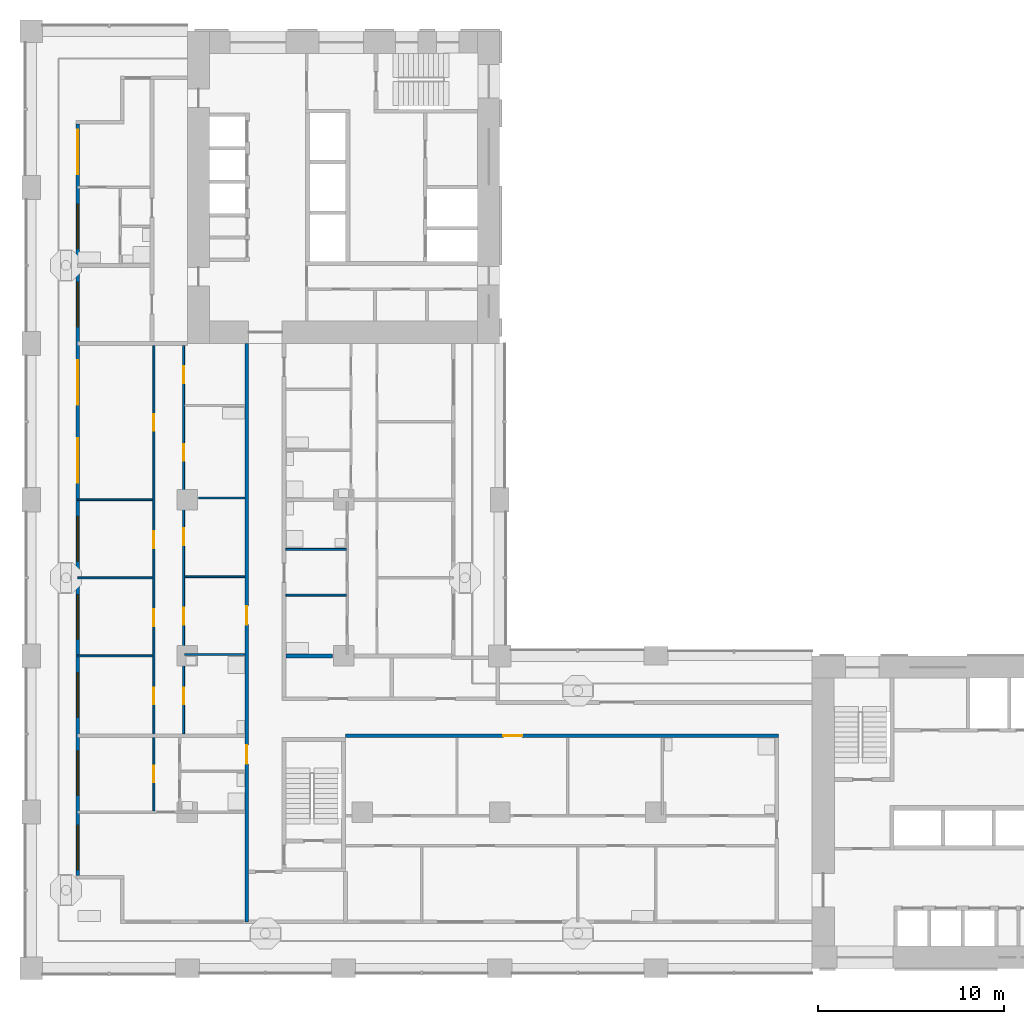
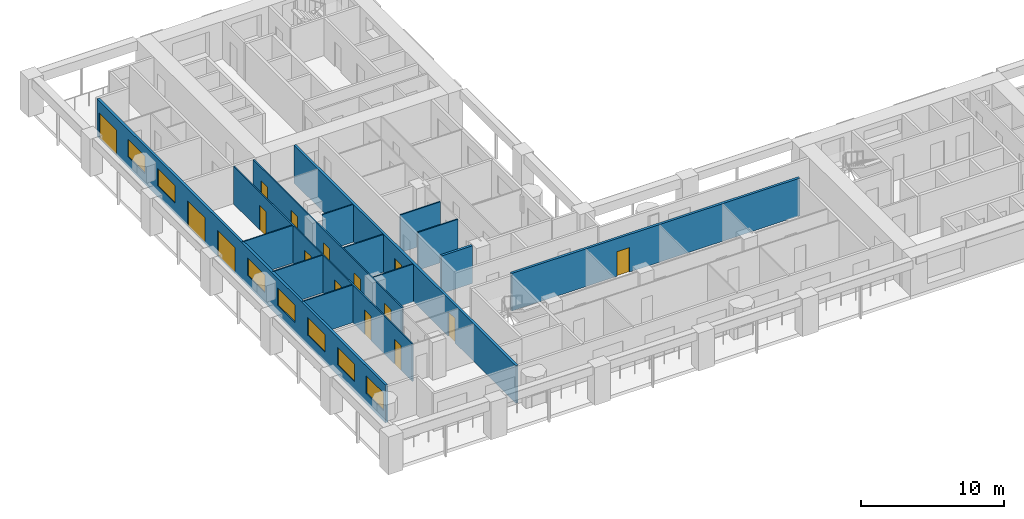
# One storey, part 3 of 18: 16 doors, 14 walls, 7 windows, 23 openings.
"""IFC4 building model written with IfcOpenShell, lengths in metres."""

from ifc_helpers import new_model, si_unit, direction, frame, frame_2d, origin, place, context, subcontext, project, spatial, rectangle, extrude, material, layer, layer_set, type_object, element, fill, save


model = new_model("IFC4")

# Units and contexts
model_context = context("Model", 3, precision=1e-05, world=origin(), true_north=direction((0.0, 1.0)))
body_context = subcontext(model_context, "Body", "Model", "MODEL_VIEW")
ifc_project = project(units=[si_unit("LENGTHUNIT", "METRE"), si_unit("AREAUNIT", "SQUARE_METRE"), si_unit("VOLUMEUNIT", "CUBIC_METRE"), si_unit("PLANEANGLEUNIT", "RADIAN"), si_unit("MASSUNIT", "GRAM", prefix="KILO")], contexts=[model_context])

# Site, building, storey
site_placement = place(None, origin())
site = spatial("IfcSite", under=ifc_project, at=site_placement, CompositionType="ELEMENT")
building_placement = place(site_placement, origin())
building = spatial("IfcBuilding", under=site, at=building_placement, Name="Vermilion Gate Residences", CompositionType="ELEMENT")
storey_placement = place(building_placement, frame((0.0, 0.0, 81.199951171875)))
storey = spatial("IfcBuildingStorey", under=building, at=storey_placement, Name="L19", CompositionType="ELEMENT", Elevation=81.199951171875)

# Wall, openings, doors, windows
ifc_material_1 = material(Name="Insulated steel stud wall with terracotta rainscreen", Category="masonry")
ifc_layer_1 = layer(ifc_material_1, 0.199951171875)
ifc_layer_set_1 = layer_set([ifc_layer_1], Name="EXTERNAL WALL 200 TERRACOTTA RAINSCREEN")
wall_type_1 = type_object("IfcWallType", Name="EXTERNAL WALL 200 TERRACOTTA RAINSCREEN", PredefinedType="SOLIDWALL", material=ifc_layer_set_1)
wall_1_placement = place(storey_placement, frame((2.5, 53.800048828125, 0.0), z_axis=(0.0, 0.0, 1.0), x_axis=(0.0, -1.0, 0.0)))
wall_1 = element("IfcWall", 1, at=wall_1_placement, inside=storey, type_object=wall_type_1, Name="External wall", PredefinedType="SOLIDWALL", context=body_context, shape_type="SweptSolid", body=[
    extrude(rectangle(XDim=40.400146484375, YDim=0.199951171875, at=frame_2d((20.2001953125, 0.0))), origin(), (0.0, 0.0, 1.0), 3.219970703125),
])
opening_1_placement = place(wall_1_placement, frame((37.699951171875, 0.0, 0.89990234375)))
opening_1 = element("IfcOpeningElement", 2, at=opening_1_placement, cuts=wall_1, Name="Opening WE19002", PredefinedType="OPENING", context=body_context, shape_type="SweptSolid", body=[
    extrude(rectangle(XDim=2.39990234375, YDim=1.5, at=frame_2d((1.199951171875, 0.75))), frame((0.0, 0.10986328125, 0.0), z_axis=(0.0, -1.0, 0.0), x_axis=(1.0, 0.0, 0.0)), (0.0, 0.0, 1.0), 0.219970703125),
])
opening_2_placement = place(wall_1_placement, frame((33.699951171875, 0.0, 0.89990234375)))
opening_2 = element("IfcOpeningElement", 3, at=opening_2_placement, cuts=wall_1, Name="Opening WE19003", PredefinedType="OPENING", context=body_context, shape_type="SweptSolid", body=[
    extrude(rectangle(XDim=2.39990234375, YDim=1.5, at=frame_2d((1.199951171875, 0.75))), frame((0.0, 0.10986328125, 0.0), z_axis=(0.0, -1.0, 0.0), x_axis=(1.0, 0.0, 0.0)), (0.0, 0.0, 1.0), 0.219970703125),
])
opening_3_placement = place(wall_1_placement, frame((29.5, 0.0, 0.89990234375)))
opening_3 = element("IfcOpeningElement", 4, at=opening_3_placement, cuts=wall_1, Name="Opening WE19004", PredefinedType="OPENING", context=body_context, shape_type="SweptSolid", body=[
    extrude(rectangle(XDim=2.39990234375, YDim=1.5, at=frame_2d((1.199951171875, 0.75))), frame((0.0, 0.10986328125, 0.0), z_axis=(0.0, -1.0, 0.0), x_axis=(1.0, 0.0, 0.0)), (0.0, 0.0, 1.0), 0.219970703125),
])
opening_4_placement = place(wall_1_placement, frame((25.300048828125, 0.0, 0.89990234375)))
opening_4 = element("IfcOpeningElement", 5, at=opening_4_placement, cuts=wall_1, Name="Opening WE19005", PredefinedType="OPENING", context=body_context, shape_type="SweptSolid", body=[
    extrude(rectangle(XDim=2.39990234375, YDim=1.5, at=frame_2d((1.199951171875, 0.75))), frame((0.0, 0.10986328125, 0.0), z_axis=(0.0, -1.0, 0.0), x_axis=(1.0, 0.0, 0.0)), (0.0, 0.0, 1.0), 0.219970703125),
])
opening_5_placement = place(wall_1_placement, frame((21.10009765625, 0.0, 0.89990234375)))
opening_5 = element("IfcOpeningElement", 6, at=opening_5_placement, cuts=wall_1, Name="Opening WE19006", PredefinedType="OPENING", context=body_context, shape_type="SweptSolid", body=[
    extrude(rectangle(XDim=2.39990234375, YDim=1.5, at=frame_2d((1.199951171875, 0.75))), frame((0.0, 0.10986328125, 0.0), z_axis=(0.0, -1.0, 0.0), x_axis=(1.0, 0.0, 0.0)), (0.0, 0.0, 1.0), 0.219970703125),
])
opening_6_placement = place(wall_1_placement, frame((16.89990234375, 0.0, 0.0)))
opening_6 = element("IfcOpeningElement", 7, at=opening_6_placement, cuts=wall_1, Name="Opening DE19007", PredefinedType="OPENING", context=body_context, shape_type="SweptSolid", body=[
    extrude(rectangle(XDim=2.39990234375, YDim=2.199951171875, at=frame_2d((1.199951171875, 1.10009765625))), frame((0.0, 0.10986328125, 0.0), z_axis=(0.0, -1.0, 0.0), x_axis=(1.0, 0.0, 0.0)), (0.0, 0.0, 1.0), 0.219970703125),
])
opening_7_placement = place(wall_1_placement, frame((12.699951171875, 0.0, 0.0)))
opening_7 = element("IfcOpeningElement", 8, at=opening_7_placement, cuts=wall_1, Name="Opening DE19008", PredefinedType="OPENING", context=body_context, shape_type="SweptSolid", body=[
    extrude(rectangle(XDim=2.39990234375, YDim=2.199951171875, at=frame_2d((1.199951171875, 1.10009765625))), frame((0.0, 0.10986328125, 0.0), z_axis=(0.0, -1.0, 0.0), x_axis=(1.0, 0.0, 0.0)), (0.0, 0.0, 1.0), 0.219970703125),
])
opening_8_placement = place(wall_1_placement, frame((8.5, 0.0, 0.89990234375)))
opening_8 = element("IfcOpeningElement", 9, at=opening_8_placement, cuts=wall_1, Name="Opening WE19009", PredefinedType="OPENING", context=body_context, shape_type="SweptSolid", body=[
    extrude(rectangle(XDim=2.39990234375, YDim=1.5, at=frame_2d((1.199951171875, 0.75))), frame((0.0, 0.10986328125, 0.0), z_axis=(0.0, -1.0, 0.0), x_axis=(1.0, 0.0, 0.0)), (0.0, 0.0, 1.0), 0.219970703125),
])
opening_9_placement = place(wall_1_placement, frame((4.300048828125, 0.0, 0.89990234375)))
opening_9 = element("IfcOpeningElement", 10, at=opening_9_placement, cuts=wall_1, Name="Opening WE19010", PredefinedType="OPENING", context=body_context, shape_type="SweptSolid", body=[
    extrude(rectangle(XDim=2.39990234375, YDim=1.5, at=frame_2d((1.199951171875, 0.75))), frame((0.0, 0.10986328125, 0.0), z_axis=(0.0, -1.0, 0.0), x_axis=(1.0, 0.0, 0.0)), (0.0, 0.0, 1.0), 0.219970703125),
])
opening_10_placement = place(wall_1_placement, frame((0.300048828125, 0.0, 0.0)))
opening_10 = element("IfcOpeningElement", 11, at=opening_10_placement, cuts=wall_1, Name="Opening DE19011", PredefinedType="OPENING", context=body_context, shape_type="SweptSolid", body=[
    extrude(rectangle(XDim=2.39990234375, YDim=2.199951171875, at=frame_2d((1.199951171875, 1.10009765625))), frame((0.0, 0.10986328125, 0.0), z_axis=(0.0, -1.0, 0.0), x_axis=(1.0, 0.0, 0.0)), (0.0, 0.0, 1.0), 0.219970703125),
])
ifc_material_2 = material(Name="Aluminium and clear glass", Category="aluminium")
door_type_1 = type_object("IfcDoorType", Name="SLIDING GLAZED DOOR 2400 X 2200", OperationType="DOUBLE_DOOR_SLIDING", PredefinedType="DOOR", material=ifc_material_2)
door_1_placement = place(opening_6_placement, origin())
door_1 = element("IfcDoor", 12, at=door_1_placement, inside=storey, type_object=door_type_1, Name="Loggia sliding door", OperationType="DOUBLE_DOOR_SLIDING", OverallHeight=2.199951171875, OverallWidth=2.39990234375, PredefinedType="DOOR", context=body_context, shape_type="SweptSolid", body=[
    extrude(rectangle(XDim=2.39990234375, YDim=2.199951171875, at=frame_2d((1.199951171875, 1.10009765625))), frame((0.0, 0.02490234375, 0.0), z_axis=(0.0, -1.0, 0.0), x_axis=(1.0, 0.0, 0.0)), (0.0, 0.0, 1.0), 0.050048828125),
])
fill(opening_6, door_1)
door_2_placement = place(opening_7_placement, origin())
door_2 = element("IfcDoor", 13, at=door_2_placement, inside=storey, type_object=door_type_1, Name="Loggia sliding door", OperationType="DOUBLE_DOOR_SLIDING", OverallHeight=2.199951171875, OverallWidth=2.39990234375, PredefinedType="DOOR", context=body_context, shape_type="SweptSolid", body=[
    extrude(rectangle(XDim=2.39990234375, YDim=2.199951171875, at=frame_2d((1.199951171875, 1.10009765625))), frame((0.0, 0.02490234375, 0.0), z_axis=(0.0, -1.0, 0.0), x_axis=(1.0, 0.0, 0.0)), (0.0, 0.0, 1.0), 0.050048828125),
])
fill(opening_7, door_2)
door_3_placement = place(opening_10_placement, origin())
door_3 = element("IfcDoor", 14, at=door_3_placement, inside=storey, type_object=door_type_1, Name="Loggia sliding door", OperationType="DOUBLE_DOOR_SLIDING", OverallHeight=2.199951171875, OverallWidth=2.39990234375, PredefinedType="DOOR", context=body_context, shape_type="SweptSolid", body=[
    extrude(rectangle(XDim=2.39990234375, YDim=2.199951171875, at=frame_2d((1.199951171875, 1.10009765625))), frame((0.0, 0.02490234375, 0.0), z_axis=(0.0, -1.0, 0.0), x_axis=(1.0, 0.0, 0.0)), (0.0, 0.0, 1.0), 0.050048828125),
])
fill(opening_10, door_3)
ifc_material_3 = material(Name="Aluminium and clear glass", Category="aluminium")
window_type = type_object("IfcWindowType", Name="WINDOW 2400 X 1500", PartitioningType="SINGLE_PANEL", PredefinedType="WINDOW", material=ifc_material_3)
window_1_placement = place(opening_1_placement, origin())
window_1 = element("IfcWindow", 15, at=window_1_placement, inside=storey, type_object=window_type, Name="Window", OverallHeight=1.5, OverallWidth=2.39990234375, PartitioningType="SINGLE_PANEL", PredefinedType="WINDOW", context=body_context, shape_type="SweptSolid", body=[
    extrude(rectangle(XDim=2.39990234375, YDim=1.5, at=frame_2d((1.199951171875, 0.75))), frame((0.0, 0.030029296875, 0.0), z_axis=(0.0, -1.0, 0.0), x_axis=(1.0, 0.0, 0.0)), (0.0, 0.0, 1.0), 0.06005859375),
])
fill(opening_1, window_1)
window_2_placement = place(opening_2_placement, origin())
window_2 = element("IfcWindow", 16, at=window_2_placement, inside=storey, type_object=window_type, Name="Window", OverallHeight=1.5, OverallWidth=2.39990234375, PartitioningType="SINGLE_PANEL", PredefinedType="WINDOW", context=body_context, shape_type="SweptSolid", body=[
    extrude(rectangle(XDim=2.39990234375, YDim=1.5, at=frame_2d((1.199951171875, 0.75))), frame((0.0, 0.030029296875, 0.0), z_axis=(0.0, -1.0, 0.0), x_axis=(1.0, 0.0, 0.0)), (0.0, 0.0, 1.0), 0.06005859375),
])
fill(opening_2, window_2)
window_3_placement = place(opening_3_placement, origin())
window_3 = element("IfcWindow", 17, at=window_3_placement, inside=storey, type_object=window_type, Name="Window", OverallHeight=1.5, OverallWidth=2.39990234375, PartitioningType="SINGLE_PANEL", PredefinedType="WINDOW", context=body_context, shape_type="SweptSolid", body=[
    extrude(rectangle(XDim=2.39990234375, YDim=1.5, at=frame_2d((1.199951171875, 0.75))), frame((0.0, 0.030029296875, 0.0), z_axis=(0.0, -1.0, 0.0), x_axis=(1.0, 0.0, 0.0)), (0.0, 0.0, 1.0), 0.06005859375),
])
fill(opening_3, window_3)
window_4_placement = place(opening_4_placement, origin())
window_4 = element("IfcWindow", 18, at=window_4_placement, inside=storey, type_object=window_type, Name="Window", OverallHeight=1.5, OverallWidth=2.39990234375, PartitioningType="SINGLE_PANEL", PredefinedType="WINDOW", context=body_context, shape_type="SweptSolid", body=[
    extrude(rectangle(XDim=2.39990234375, YDim=1.5, at=frame_2d((1.199951171875, 0.75))), frame((0.0, 0.030029296875, 0.0), z_axis=(0.0, -1.0, 0.0), x_axis=(1.0, 0.0, 0.0)), (0.0, 0.0, 1.0), 0.06005859375),
])
fill(opening_4, window_4)
window_5_placement = place(opening_5_placement, origin())
window_5 = element("IfcWindow", 19, at=window_5_placement, inside=storey, type_object=window_type, Name="Window", OverallHeight=1.5, OverallWidth=2.39990234375, PartitioningType="SINGLE_PANEL", PredefinedType="WINDOW", context=body_context, shape_type="SweptSolid", body=[
    extrude(rectangle(XDim=2.39990234375, YDim=1.5, at=frame_2d((1.199951171875, 0.75))), frame((0.0, 0.030029296875, 0.0), z_axis=(0.0, -1.0, 0.0), x_axis=(1.0, 0.0, 0.0)), (0.0, 0.0, 1.0), 0.06005859375),
])
fill(opening_5, window_5)
window_6_placement = place(opening_8_placement, origin())
window_6 = element("IfcWindow", 20, at=window_6_placement, inside=storey, type_object=window_type, Name="Window", OverallHeight=1.5, OverallWidth=2.39990234375, PartitioningType="SINGLE_PANEL", PredefinedType="WINDOW", context=body_context, shape_type="SweptSolid", body=[
    extrude(rectangle(XDim=2.39990234375, YDim=1.5, at=frame_2d((1.199951171875, 0.75))), frame((0.0, 0.030029296875, 0.0), z_axis=(0.0, -1.0, 0.0), x_axis=(1.0, 0.0, 0.0)), (0.0, 0.0, 1.0), 0.06005859375),
])
fill(opening_8, window_6)
window_7_placement = place(opening_9_placement, origin())
window_7 = element("IfcWindow", 21, at=window_7_placement, inside=storey, type_object=window_type, Name="Window", OverallHeight=1.5, OverallWidth=2.39990234375, PartitioningType="SINGLE_PANEL", PredefinedType="WINDOW", context=body_context, shape_type="SweptSolid", body=[
    extrude(rectangle(XDim=2.39990234375, YDim=1.5, at=frame_2d((1.199951171875, 0.75))), frame((0.0, 0.030029296875, 0.0), z_axis=(0.0, -1.0, 0.0), x_axis=(1.0, 0.0, 0.0)), (0.0, 0.0, 1.0), 0.06005859375),
])
fill(opening_9, window_7)

# Walls
ifc_material_4 = material(Name="Plasterboard on steel studs", Category="steel")
ifc_layer_2 = layer(ifc_material_4, 0.10009765625)
ifc_layer_set_2 = layer_set([ifc_layer_2], Name="PARTITION 100")
wall_type_2 = type_object("IfcWallType", Name="PARTITION 100", PredefinedType="PARTITIONING", material=ifc_layer_set_2)
wall_2_placement = place(storey_placement, frame((2.5, 25.199951171875, 0.0), z_axis=(0.0, 0.0, 1.0), x_axis=(1.0, 0.0, 0.0)))
element("IfcWall", 22, at=wall_2_placement, inside=storey, type_object=wall_type_2, Name="Partition", PredefinedType="PARTITIONING", context=body_context, shape_type="SweptSolid", body=[
    extrude(rectangle(XDim=4.050048828125, YDim=0.10009765625, at=frame_2d((2.02490234375, 0.0))), origin(), (0.0, 0.0, 1.0), 3.219970703125),
])
for number, where, z_axis, x_axis, name in (
    (23, (8.25, 25.280029296875, 0.0), (0.0, 0.0, 1.0), (1.0, 0.0, 0.0), "Partition"),
    (24, (13.699951171875, 28.467041015625, 0.0), (0.0, 0.0, 1.0), (1.0, 0.0, 0.0), "Partition"),
):
    element("IfcWall", number, at=place(storey_placement, frame(where, z_axis=z_axis, x_axis=x_axis)), inside=storey, type_object=wall_type_2, Name=name, PredefinedType="PARTITIONING", context=body_context, shape_type="SweptSolid", body=[
        extrude(rectangle(XDim=3.25, YDim=0.10009765625, at=frame_2d((1.625, 0.0))), origin(), (0.0, 0.0, 1.0), 3.219970703125),
    ])
wall_3_placement = place(storey_placement, frame((2.5, 29.39990234375, 0.0), z_axis=(0.0, 0.0, 1.0), x_axis=(1.0, 0.0, 0.0)))
element("IfcWall", 25, at=wall_3_placement, inside=storey, type_object=wall_type_2, Name="Partition", PredefinedType="PARTITIONING", context=body_context, shape_type="SweptSolid", body=[
    extrude(rectangle(XDim=4.050048828125, YDim=0.10009765625, at=frame_2d((2.02490234375, 0.0))), origin(), (0.0, 0.0, 1.0), 3.219970703125),
])
for number, where, z_axis, x_axis, name in (
    (26, (8.25, 29.4599609375, 0.0), (0.0, 0.0, 1.0), (1.0, 0.0, 0.0), "Partition"),
    (27, (13.699951171875, 30.93310546875, 0.0), (0.0, 0.0, 1.0), (1.0, 0.0, 0.0), "Partition"),
):
    element("IfcWall", number, at=place(storey_placement, frame(where, z_axis=z_axis, x_axis=x_axis)), inside=storey, type_object=wall_type_2, Name=name, PredefinedType="PARTITIONING", context=body_context, shape_type="SweptSolid", body=[
        extrude(rectangle(XDim=3.25, YDim=0.10009765625, at=frame_2d((1.625, 0.0))), origin(), (0.0, 0.0, 1.0), 3.219970703125),
    ])
wall_4_placement = place(storey_placement, frame((2.5, 33.60009765625, 0.0), z_axis=(0.0, 0.0, 1.0), x_axis=(1.0, 0.0, 0.0)))
element("IfcWall", 28, at=wall_4_placement, inside=storey, type_object=wall_type_2, Name="Partition", PredefinedType="PARTITIONING", context=body_context, shape_type="SweptSolid", body=[
    extrude(rectangle(XDim=4.050048828125, YDim=0.10009765625, at=frame_2d((2.02490234375, 0.0))), origin(), (0.0, 0.0, 1.0), 3.219970703125),
])
wall_5_placement = place(storey_placement, frame((9.0, 33.68994140625, 0.0), z_axis=(0.0, 0.0, 1.0), x_axis=(1.0, 0.0, 0.0)))
element("IfcWall", 29, at=wall_5_placement, inside=storey, type_object=wall_type_2, Name="Partition", PredefinedType="PARTITIONING", context=body_context, shape_type="SweptSolid", body=[
    extrude(rectangle(XDim=2.5, YDim=0.10009765625, at=frame_2d((1.25, 0.0))), origin(), (0.0, 0.0, 1.0), 3.219970703125),
])

# Wall, openings, doors
wall_6_placement = place(storey_placement, frame((6.60009765625, 16.85009765625, 0.0), z_axis=(0.0, 0.0, 1.0), x_axis=(0.0, 1.0, 0.0)))
wall_6 = element("IfcWall", 30, at=wall_6_placement, inside=storey, type_object=wall_type_2, Name="Partition", PredefinedType="PARTITIONING", context=body_context, shape_type="SweptSolid", body=[
    extrude(rectangle(XDim=25.0498046875, YDim=0.10009765625, at=frame_2d((12.52490234375, 0.0))), origin(), (0.0, 0.0, 1.0), 3.219970703125),
])
opening_11_placement = place(wall_6_placement, frame((1.550048828125, 0.0, 0.0)))
opening_11 = element("IfcOpeningElement", 31, at=opening_11_placement, cuts=wall_6, Name="Opening DA19019", PredefinedType="OPENING", context=body_context, shape_type="SweptSolid", body=[
    extrude(rectangle(XDim=0.89990234375, YDim=2.10009765625, at=frame_2d((0.449951171875, 1.050048828125))), frame((0.0, 0.06005859375, 0.0), z_axis=(0.0, -1.0, 0.0), x_axis=(1.0, 0.0, 0.0)), (0.0, 0.0, 1.0), 0.1201171875),
])
opening_12_placement = place(wall_6_placement, frame((5.75, 0.0, 0.0)))
opening_12 = element("IfcOpeningElement", 32, at=opening_12_placement, cuts=wall_6, Name="Opening DA19020", PredefinedType="OPENING", context=body_context, shape_type="SweptSolid", body=[
    extrude(rectangle(XDim=0.89990234375, YDim=2.10009765625, at=frame_2d((0.449951171875, 1.050048828125))), frame((0.0, 0.06005859375, 0.0), z_axis=(0.0, -1.0, 0.0), x_axis=(1.0, 0.0, 0.0)), (0.0, 0.0, 1.0), 0.1201171875),
])
opening_13_placement = place(wall_6_placement, frame((9.949951171875, 0.0, 0.0)))
opening_13 = element("IfcOpeningElement", 33, at=opening_13_placement, cuts=wall_6, Name="Opening DA19021", PredefinedType="OPENING", context=body_context, shape_type="SweptSolid", body=[
    extrude(rectangle(XDim=0.89990234375, YDim=2.10009765625, at=frame_2d((0.449951171875, 1.050048828125))), frame((0.0, 0.06005859375, 0.0), z_axis=(0.0, -1.0, 0.0), x_axis=(1.0, 0.0, 0.0)), (0.0, 0.0, 1.0), 0.1201171875),
])
opening_14_placement = place(wall_6_placement, frame((14.14990234375, 0.0, 0.0)))
opening_14 = element("IfcOpeningElement", 34, at=opening_14_placement, cuts=wall_6, Name="Opening DA19022", PredefinedType="OPENING", context=body_context, shape_type="SweptSolid", body=[
    extrude(rectangle(XDim=0.89990234375, YDim=2.10009765625, at=frame_2d((0.449951171875, 1.050048828125))), frame((0.0, 0.06005859375, 0.0), z_axis=(0.0, -1.0, 0.0), x_axis=(1.0, 0.0, 0.0)), (0.0, 0.0, 1.0), 0.1201171875),
])
opening_15_placement = place(wall_6_placement, frame((20.449951171875, 0.0, 0.0)))
opening_15 = element("IfcOpeningElement", 35, at=opening_15_placement, cuts=wall_6, Name="Opening DA19023", PredefinedType="OPENING", context=body_context, shape_type="SweptSolid", body=[
    extrude(rectangle(XDim=0.89990234375, YDim=2.10009765625, at=frame_2d((0.449951171875, 1.050048828125))), frame((0.0, 0.06005859375, 0.0), z_axis=(0.0, -1.0, 0.0), x_axis=(1.0, 0.0, 0.0)), (0.0, 0.0, 1.0), 0.1201171875),
])
ifc_material_5 = material(Name="Timber", Category="wood")
door_type_2 = type_object("IfcDoorType", Name="INTERIOR DOOR 900 X 2100", OperationType="SINGLE_SWING_LEFT", PredefinedType="DOOR", material=ifc_material_5)
door_4_placement = place(opening_11_placement, origin())
door_4 = element("IfcDoor", 36, at=door_4_placement, inside=storey, type_object=door_type_2, Name="Interior door", OperationType="SINGLE_SWING_RIGHT", OverallHeight=2.10009765625, OverallWidth=0.89990234375, PredefinedType="DOOR", context=body_context, shape_type="SweptSolid", body=[
    extrude(rectangle(XDim=0.89990234375, YDim=2.10009765625, at=frame_2d((0.449951171875, 1.050048828125))), frame((0.0, 0.02490234375, 0.0), z_axis=(0.0, -1.0, 0.0), x_axis=(1.0, 0.0, 0.0)), (0.0, 0.0, 1.0), 0.050048828125),
])
fill(opening_11, door_4)
door_5_placement = place(opening_12_placement, origin())
door_5 = element("IfcDoor", 37, at=door_5_placement, inside=storey, type_object=door_type_2, Name="Interior door", OperationType="SINGLE_SWING_LEFT", OverallHeight=2.10009765625, OverallWidth=0.89990234375, PredefinedType="DOOR", context=body_context, shape_type="SweptSolid", body=[
    extrude(rectangle(XDim=0.89990234375, YDim=2.10009765625, at=frame_2d((0.449951171875, 1.050048828125))), frame((0.0, 0.02490234375, 0.0), z_axis=(0.0, -1.0, 0.0), x_axis=(1.0, 0.0, 0.0)), (0.0, 0.0, 1.0), 0.050048828125),
])
fill(opening_12, door_5)
door_6_placement = place(opening_13_placement, origin())
door_6 = element("IfcDoor", 38, at=door_6_placement, inside=storey, type_object=door_type_2, Name="Interior door", OperationType="SINGLE_SWING_LEFT", OverallHeight=2.10009765625, OverallWidth=0.89990234375, PredefinedType="DOOR", context=body_context, shape_type="SweptSolid", body=[
    extrude(rectangle(XDim=0.89990234375, YDim=2.10009765625, at=frame_2d((0.449951171875, 1.050048828125))), frame((0.0, 0.02490234375, 0.0), z_axis=(0.0, -1.0, 0.0), x_axis=(1.0, 0.0, 0.0)), (0.0, 0.0, 1.0), 0.050048828125),
])
fill(opening_13, door_6)
door_7_placement = place(opening_14_placement, origin())
door_7 = element("IfcDoor", 39, at=door_7_placement, inside=storey, type_object=door_type_2, Name="Interior door", OperationType="SINGLE_SWING_LEFT", OverallHeight=2.10009765625, OverallWidth=0.89990234375, PredefinedType="DOOR", context=body_context, shape_type="SweptSolid", body=[
    extrude(rectangle(XDim=0.89990234375, YDim=2.10009765625, at=frame_2d((0.449951171875, 1.050048828125))), frame((0.0, 0.02490234375, 0.0), z_axis=(0.0, -1.0, 0.0), x_axis=(1.0, 0.0, 0.0)), (0.0, 0.0, 1.0), 0.050048828125),
])
fill(opening_14, door_7)
door_8_placement = place(opening_15_placement, origin())
door_8 = element("IfcDoor", 40, at=door_8_placement, inside=storey, type_object=door_type_2, Name="Interior door", OperationType="SINGLE_SWING_LEFT", OverallHeight=2.10009765625, OverallWidth=0.89990234375, PredefinedType="DOOR", context=body_context, shape_type="SweptSolid", body=[
    extrude(rectangle(XDim=0.89990234375, YDim=2.10009765625, at=frame_2d((0.449951171875, 1.050048828125))), frame((0.0, 0.02490234375, 0.0), z_axis=(0.0, -1.0, 0.0), x_axis=(1.0, 0.0, 0.0)), (0.0, 0.0, 1.0), 0.050048828125),
])
fill(opening_15, door_8)

wall_7_placement = place(storey_placement, frame((8.199951171875, 21.0, 0.0), z_axis=(0.0, 0.0, 1.0), x_axis=(0.0, 1.0, 0.0)))
wall_7 = element("IfcWall", 41, at=wall_7_placement, inside=storey, type_object=wall_type_2, Name="Partition", PredefinedType="PARTITIONING", context=body_context, shape_type="SweptSolid", body=[
    extrude(rectangle(XDim=20.89990234375, YDim=0.10009765625, at=frame_2d((10.449951171875, 0.0))), origin(), (0.0, 0.0, 1.0), 3.219970703125),
])
opening_16_placement = place(wall_7_placement, frame((5.8798828125, 0.0, 0.0)))
opening_16 = element("IfcOpeningElement", 42, at=opening_16_placement, cuts=wall_7, Name="Opening DA19026", PredefinedType="OPENING", context=body_context, shape_type="SweptSolid", body=[
    extrude(rectangle(XDim=0.89990234375, YDim=2.10009765625, at=frame_2d((0.449951171875, 1.050048828125))), frame((0.0, 0.06005859375, 0.0), z_axis=(0.0, -1.0, 0.0), x_axis=(1.0, 0.0, 0.0)), (0.0, 0.0, 1.0), 0.1201171875),
])
opening_17_placement = place(wall_7_placement, frame((1.60009765625, 0.0, 0.0)))
opening_17 = element("IfcOpeningElement", 43, at=opening_17_placement, cuts=wall_7, Name="Opening DA19027", PredefinedType="OPENING", context=body_context, shape_type="SweptSolid", body=[
    extrude(rectangle(XDim=0.89990234375, YDim=2.10009765625, at=frame_2d((0.449951171875, 1.050048828125))), frame((0.0, 0.06005859375, 0.0), z_axis=(0.0, -1.0, 0.0), x_axis=(1.0, 0.0, 0.0)), (0.0, 0.0, 1.0), 0.1201171875),
])
opening_18_placement = place(wall_7_placement, frame((10.159912109375, 0.0, 0.0)))
opening_18 = element("IfcOpeningElement", 44, at=opening_18_placement, cuts=wall_7, Name="Opening DA19028", PredefinedType="OPENING", context=body_context, shape_type="SweptSolid", body=[
    extrude(rectangle(XDim=0.89990234375, YDim=2.10009765625, at=frame_2d((0.449951171875, 1.050048828125))), frame((0.0, 0.06005859375, 0.0), z_axis=(0.0, -1.0, 0.0), x_axis=(1.0, 0.0, 0.0)), (0.0, 0.0, 1.0), 0.1201171875),
])
opening_19_placement = place(wall_7_placement, frame((14.68994140625, 0.0, 0.0)))
opening_19 = element("IfcOpeningElement", 45, at=opening_19_placement, cuts=wall_7, Name="Opening DA19029", PredefinedType="OPENING", context=body_context, shape_type="SweptSolid", body=[
    extrude(rectangle(XDim=0.89990234375, YDim=2.10009765625, at=frame_2d((0.449951171875, 1.050048828125))), frame((0.0, 0.06005859375, 0.0), z_axis=(0.0, -1.0, 0.0), x_axis=(1.0, 0.0, 0.0)), (0.0, 0.0, 1.0), 0.1201171875),
])
opening_20_placement = place(wall_7_placement, frame((18.8701171875, 0.0, 0.0)))
opening_20 = element("IfcOpeningElement", 46, at=opening_20_placement, cuts=wall_7, Name="Opening DA19030", PredefinedType="OPENING", context=body_context, shape_type="SweptSolid", body=[
    extrude(rectangle(XDim=0.89990234375, YDim=2.10009765625, at=frame_2d((0.449951171875, 1.050048828125))), frame((0.0, 0.06005859375, 0.0), z_axis=(0.0, -1.0, 0.0), x_axis=(1.0, 0.0, 0.0)), (0.0, 0.0, 1.0), 0.1201171875),
])
door_9_placement = place(opening_16_placement, frame((0.89990234375, 0.0, 0.0), z_axis=(0.0, 0.0, 1.0), x_axis=(-1.0, 0.0, 0.0)))
door_9 = element("IfcDoor", 47, at=door_9_placement, inside=storey, type_object=door_type_2, Name="Interior door", OperationType="SINGLE_SWING_RIGHT", OverallHeight=2.10009765625, OverallWidth=0.89990234375, PredefinedType="DOOR", context=body_context, shape_type="SweptSolid", body=[
    extrude(rectangle(XDim=0.89990234375, YDim=2.10009765625, at=frame_2d((0.449951171875, 1.050048828125))), frame((0.0, 0.02490234375, 0.0), z_axis=(0.0, -1.0, 0.0), x_axis=(1.0, 0.0, 0.0)), (0.0, 0.0, 1.0), 0.050048828125),
])
fill(opening_16, door_9)
door_10_placement = place(opening_17_placement, frame((0.89990234375, 0.0, 0.0), z_axis=(0.0, 0.0, 1.0), x_axis=(-1.0, 0.0, 0.0)))
door_10 = element("IfcDoor", 48, at=door_10_placement, inside=storey, type_object=door_type_2, Name="Interior door", OperationType="SINGLE_SWING_LEFT", OverallHeight=2.10009765625, OverallWidth=0.89990234375, PredefinedType="DOOR", context=body_context, shape_type="SweptSolid", body=[
    extrude(rectangle(XDim=0.89990234375, YDim=2.10009765625, at=frame_2d((0.449951171875, 1.050048828125))), frame((0.0, 0.02490234375, 0.0), z_axis=(0.0, -1.0, 0.0), x_axis=(1.0, 0.0, 0.0)), (0.0, 0.0, 1.0), 0.050048828125),
])
fill(opening_17, door_10)
door_11_placement = place(opening_18_placement, frame((0.89990234375, 0.0, 0.0), z_axis=(0.0, 0.0, 1.0), x_axis=(-1.0, 0.0, 0.0)))
door_11 = element("IfcDoor", 49, at=door_11_placement, inside=storey, type_object=door_type_2, Name="Interior door", OperationType="SINGLE_SWING_LEFT", OverallHeight=2.10009765625, OverallWidth=0.89990234375, PredefinedType="DOOR", context=body_context, shape_type="SweptSolid", body=[
    extrude(rectangle(XDim=0.89990234375, YDim=2.10009765625, at=frame_2d((0.449951171875, 1.050048828125))), frame((0.0, 0.02490234375, 0.0), z_axis=(0.0, -1.0, 0.0), x_axis=(1.0, 0.0, 0.0)), (0.0, 0.0, 1.0), 0.050048828125),
])
fill(opening_18, door_11)
door_12_placement = place(opening_19_placement, frame((0.89990234375, 0.0, 0.0), z_axis=(0.0, 0.0, 1.0), x_axis=(-1.0, 0.0, 0.0)))
door_12 = element("IfcDoor", 50, at=door_12_placement, inside=storey, type_object=door_type_2, Name="Interior door", OperationType="SINGLE_SWING_RIGHT", OverallHeight=2.10009765625, OverallWidth=0.89990234375, PredefinedType="DOOR", context=body_context, shape_type="SweptSolid", body=[
    extrude(rectangle(XDim=0.89990234375, YDim=2.10009765625, at=frame_2d((0.449951171875, 1.050048828125))), frame((0.0, 0.02490234375, 0.0), z_axis=(0.0, -1.0, 0.0), x_axis=(1.0, 0.0, 0.0)), (0.0, 0.0, 1.0), 0.050048828125),
])
fill(opening_19, door_12)
door_13_placement = place(opening_20_placement, frame((0.89990234375, 0.0, 0.0), z_axis=(0.0, 0.0, 1.0), x_axis=(-1.0, 0.0, 0.0)))
door_13 = element("IfcDoor", 51, at=door_13_placement, inside=storey, type_object=door_type_2, Name="Interior door", OperationType="SINGLE_SWING_LEFT", OverallHeight=2.10009765625, OverallWidth=0.89990234375, PredefinedType="DOOR", context=body_context, shape_type="SweptSolid", body=[
    extrude(rectangle(XDim=0.89990234375, YDim=2.10009765625, at=frame_2d((0.449951171875, 1.050048828125))), frame((0.0, 0.02490234375, 0.0), z_axis=(0.0, -1.0, 0.0), x_axis=(1.0, 0.0, 0.0)), (0.0, 0.0, 1.0), 0.050048828125),
])
fill(opening_20, door_13)

# Wall, opening, door
ifc_material_6 = material(Name="Fire-rated plasterboard on steel studs", Category="steel")
ifc_layer_3 = layer(ifc_material_6, 0.199951171875)
ifc_layer_set_3 = layer_set([ifc_layer_3], Name="PARTY WALL 200 EI 120")
wall_type_3 = type_object("IfcWallType", Name="PARTY WALL 200 EI 120", PredefinedType="PARTITIONING", material=ifc_layer_set_3)
wall_8_placement = place(storey_placement, frame((16.89990234375, 20.89990234375, 0.0), z_axis=(0.0, 0.0, 1.0), x_axis=(1.0, 0.0, 0.0)))
wall_8 = element("IfcWall", 52, at=wall_8_placement, inside=storey, type_object=wall_type_3, Name="Party and corridor wall", PredefinedType="PARTITIONING", context=body_context, shape_type="SweptSolid", body=[
    extrude(rectangle(XDim=23.300048828125, YDim=0.199951171875, at=frame_2d((11.64990234375, 0.0))), origin(), (0.0, 0.0, 1.0), 3.219970703125),
])
opening_21_placement = place(wall_8_placement, frame((8.5, 0.0, 0.0)))
opening_21 = element("IfcOpeningElement", 53, at=opening_21_placement, cuts=wall_8, Name="Opening DA19011", PredefinedType="OPENING", context=body_context, shape_type="SweptSolid", body=[
    extrude(rectangle(XDim=1.0, YDim=2.10009765625, at=frame_2d((0.5, 1.050048828125))), frame((0.0, 0.10986328125, 0.0), z_axis=(0.0, -1.0, 0.0), x_axis=(1.0, 0.0, 0.0)), (0.0, 0.0, 1.0), 0.219970703125),
])
ifc_material_7 = material(Name="Steel", Category="steel")
door_type_3 = type_object("IfcDoorType", Name="ENTRANCE DOOR 1000 X 2100 FD30", OperationType="SINGLE_SWING_LEFT", PredefinedType="DOOR", material=ifc_material_7)
door_14_placement = place(opening_21_placement, frame((1.0, 0.0, 0.0), z_axis=(0.0, 0.0, 1.0), x_axis=(-1.0, 0.0, 0.0)))
door_14 = element("IfcDoor", 54, at=door_14_placement, inside=storey, type_object=door_type_3, Name="Entrance door", OperationType="SINGLE_SWING_LEFT", OverallHeight=2.10009765625, OverallWidth=1.0, PredefinedType="DOOR", context=body_context, shape_type="SweptSolid", body=[
    extrude(rectangle(XDim=1.0, YDim=2.10009765625, at=frame_2d((0.5, 1.050048828125))), frame((0.0, 0.02490234375, 0.0), z_axis=(0.0, -1.0, 0.0), x_axis=(1.0, 0.0, 0.0)), (0.0, 0.0, 1.0), 0.050048828125),
])
fill(opening_21, door_14)

# Wall
wall_9_placement = place(storey_placement, frame((13.699951171875, 25.199951171875, 0.0), z_axis=(0.0, 0.0, 1.0), x_axis=(1.0, 0.0, 0.0)))
element("IfcWall", 55, at=wall_9_placement, inside=storey, type_object=wall_type_3, Name="Party and corridor wall", PredefinedType="PARTITIONING", context=body_context, shape_type="SweptSolid", body=[
    extrude(rectangle(XDim=2.5, YDim=0.199951171875, at=frame_2d((1.25, 0.0))), origin(), (0.0, 0.0, 1.0), 3.219970703125),
])

# Wall, openings, doors
wall_10_placement = place(storey_placement, frame((11.60009765625, 10.89990234375, 0.0), z_axis=(0.0, 0.0, 1.0), x_axis=(0.0, 1.0, 0.0)))
wall_10 = element("IfcWall", 56, at=wall_10_placement, inside=storey, type_object=wall_type_3, Name="Party and corridor wall", PredefinedType="PARTITIONING", context=body_context, shape_type="SweptSolid", body=[
    extrude(rectangle(XDim=31.10009765625, YDim=0.199951171875, at=frame_2d((15.550048828125, 0.0))), origin(), (0.0, 0.0, 1.0), 3.219970703125),
])
opening_22_placement = place(wall_10_placement, frame((8.5, 0.0, 0.0)))
opening_22 = element("IfcOpeningElement", 57, at=opening_22_placement, cuts=wall_10, Name="Opening DA19031", PredefinedType="OPENING", context=body_context, shape_type="SweptSolid", body=[
    extrude(rectangle(XDim=1.0, YDim=2.10009765625, at=frame_2d((0.5, 1.050048828125))), frame((0.0, 0.10986328125, 0.0), z_axis=(0.0, -1.0, 0.0), x_axis=(1.0, 0.0, 0.0)), (0.0, 0.0, 1.0), 0.219970703125),
])
opening_23_placement = place(wall_10_placement, frame((15.97998046875, 0.0, 0.0)))
opening_23 = element("IfcOpeningElement", 58, at=opening_23_placement, cuts=wall_10, Name="Opening DA19032", PredefinedType="OPENING", context=body_context, shape_type="SweptSolid", body=[
    extrude(rectangle(XDim=1.0, YDim=2.10009765625, at=frame_2d((0.5, 1.050048828125))), frame((0.0, 0.10986328125, 0.0), z_axis=(0.0, -1.0, 0.0), x_axis=(1.0, 0.0, 0.0)), (0.0, 0.0, 1.0), 0.219970703125),
])
door_15_placement = place(opening_22_placement, origin())
door_15 = element("IfcDoor", 59, at=door_15_placement, inside=storey, type_object=door_type_3, Name="Entrance door", OperationType="SINGLE_SWING_LEFT", OverallHeight=2.10009765625, OverallWidth=1.0, PredefinedType="DOOR", context=body_context, shape_type="SweptSolid", body=[
    extrude(rectangle(XDim=1.0, YDim=2.10009765625, at=frame_2d((0.5, 1.050048828125))), frame((0.0, 0.02490234375, 0.0), z_axis=(0.0, -1.0, 0.0), x_axis=(1.0, 0.0, 0.0)), (0.0, 0.0, 1.0), 0.050048828125),
])
fill(opening_22, door_15)
door_16_placement = place(opening_23_placement, origin())
door_16 = element("IfcDoor", 60, at=door_16_placement, inside=storey, type_object=door_type_3, Name="Entrance door", OperationType="SINGLE_SWING_RIGHT", OverallHeight=2.10009765625, OverallWidth=1.0, PredefinedType="DOOR", context=body_context, shape_type="SweptSolid", body=[
    extrude(rectangle(XDim=1.0, YDim=2.10009765625, at=frame_2d((0.5, 1.050048828125))), frame((0.0, 0.02490234375, 0.0), z_axis=(0.0, -1.0, 0.0), x_axis=(1.0, 0.0, 0.0)), (0.0, 0.0, 1.0), 0.050048828125),
])
fill(opening_23, door_16)

save(model, "model.ifc")
